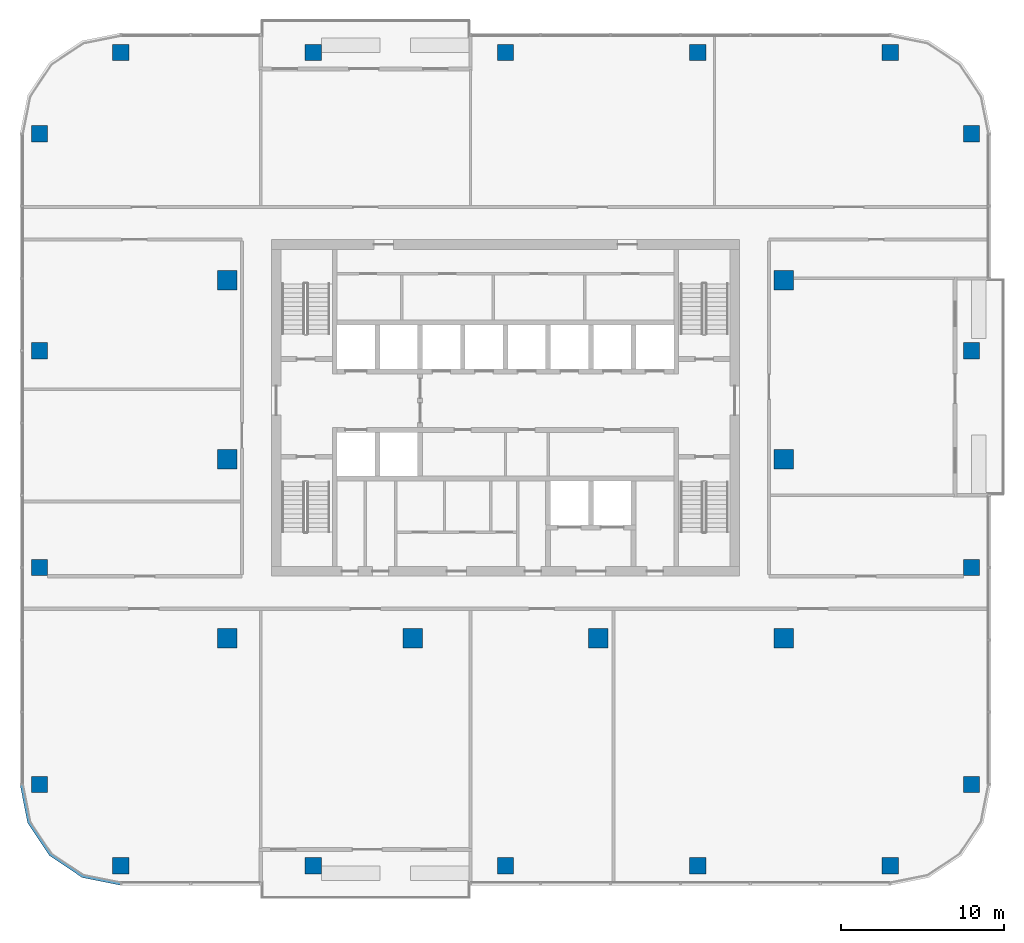
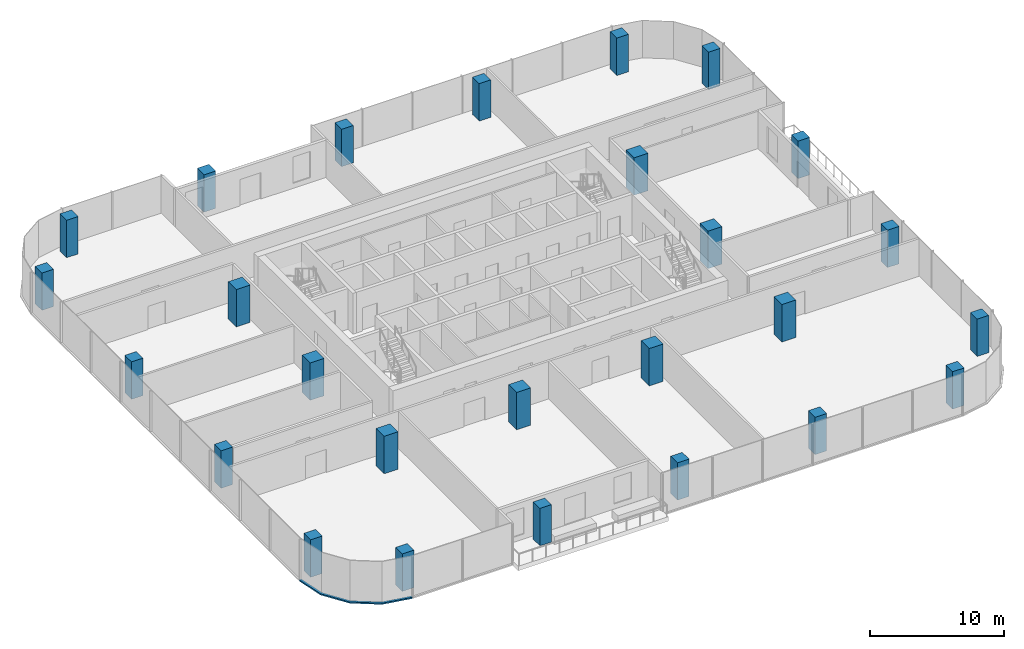
# One storey, part 1 of 13: 26 columns, 1 member, 1 element without a shape of its own.
"""IFC4 building model written with IfcOpenShell, lengths in metres."""

from ifc_helpers import new_model, si_unit, direction, frame, origin, origin_2d, place, context, subcontext, project, spatial, polyline, rectangle, outline, extrude, material, material_profile, profile_set, type_object, element, aggregate, save


model = new_model("IFC4")

# Units and contexts
model_context = context("Model", 3, precision=1e-05, world=origin(), true_north=direction((0.0, 1.0)))
body_context = subcontext(model_context, "Body", "Model", "MODEL_VIEW")
ifc_project = project(units=[si_unit("LENGTHUNIT", "METRE"), si_unit("AREAUNIT", "SQUARE_METRE"), si_unit("VOLUMEUNIT", "CUBIC_METRE"), si_unit("PLANEANGLEUNIT", "RADIAN"), si_unit("MASSUNIT", "GRAM", prefix="KILO")], contexts=[model_context])

# Site, building, storey
site_placement = place(None, origin())
site = spatial("IfcSite", under=ifc_project, at=site_placement, CompositionType="ELEMENT")
building_placement = place(site_placement, origin())
building = spatial("IfcBuilding", under=site, at=building_placement, Name="Mopane Tessera Tower", CompositionType="ELEMENT")
storey_placement = place(building_placement, frame((0.0, 0.0, 311.39990234375)))
storey = spatial("IfcBuildingStorey", under=building, at=storey_placement, Name="L68", CompositionType="ELEMENT", Elevation=311.39990234375)

# Columns
ifc_material_1 = material(Name="Concrete C40/50", Category="concrete")
ifc_material_profile_1 = material_profile(ifc_material_1, rectangle(XDim=1.199951171875, YDim=1.199951171875, at=origin_2d()))
ifc_profile_set_1 = profile_set([ifc_material_profile_1], Name="Concrete C40/50")
column_type_1 = type_object("IfcColumnType", Name="Interior column 1200 x 1200 C40/50", PredefinedType="COLUMN", material=ifc_profile_set_1)
for number, where, z_axis, x_axis, name in (
    (1, (-17.10009765625, -11.0, 0.0), (0.0, 0.0, 1.0), (1.0, 0.0, 0.0), "Interior column I1A L68"),
    (2, (-17.10009765625, 0.0, 0.0), (0.0, 0.0, 1.0), (1.0, 0.0, 0.0), "Interior column I1B L68"),
    (3, (-17.10009765625, 11.0, 0.0), (0.0, 0.0, 1.0), (1.0, 0.0, 0.0), "Interior column I1C L68"),
    (4, (-5.699951171875, -11.0, 0.0), (0.0, 0.0, 1.0), (1.0, 0.0, 0.0), "Interior column I2A L68"),
    (5, (5.699951171875, -11.0, 0.0), (0.0, 0.0, 1.0), (1.0, 0.0, 0.0), "Interior column I3A L68"),
    (6, (17.10009765625, -11.0, 0.0), (0.0, 0.0, 1.0), (1.0, 0.0, 0.0), "Interior column I4A L68"),
    (7, (17.10009765625, 0.0, 0.0), (0.0, 0.0, 1.0), (1.0, 0.0, 0.0), "Interior column I4B L68"),
    (8, (17.10009765625, 11.0, 0.0), (0.0, 0.0, 1.0), (1.0, 0.0, 0.0), "Interior column I4C L68"),
):
    element("IfcColumn", number, at=place(storey_placement, frame(where, z_axis=z_axis, x_axis=x_axis)), inside=storey, type_object=column_type_1, Name=name, PredefinedType="COLUMN", context=body_context, shape_type="SweptSolid", body=[
        extrude(rectangle(XDim=1.199951171875, YDim=1.199951171875, at=origin_2d()), origin(), (0.0, 0.0, 1.0), 3.400146484375),
    ])
ifc_material_2 = material(Name="Concrete C40/50", Category="concrete")
ifc_material_profile_2 = material_profile(ifc_material_2, rectangle(XDim=1.0, YDim=1.0, at=origin_2d()))
ifc_profile_set_2 = profile_set([ifc_material_profile_2], Name="Concrete C40/50")
column_type_2 = type_object("IfcColumnType", Name="Ring column 1000 x 1000 C40/50", PredefinedType="COLUMN", material=ifc_profile_set_2)
for number, where, z_axis, x_axis, name in (
    (9, (-23.64990234375, -25.0, 0.0), (0.0, 0.0, 1.0), (1.0, 0.0, 0.0), "Ring column S0 L68"),
    (10, (-11.824951171875, -25.0, 0.0), (0.0, 0.0, 1.0), (1.0, 0.0, 0.0), "Ring column S1 L68"),
    (11, (0.0, -25.0, 0.0), (0.0, 0.0, 1.0), (1.0, 0.0, 0.0), "Ring column S2 L68"),
    (12, (11.824951171875, -25.0, 0.0), (0.0, 0.0, 1.0), (1.0, 0.0, 0.0), "Ring column S3 L68"),
    (13, (23.64990234375, -25.0, 0.0), (0.0, 0.0, 1.0), (1.0, 0.0, 0.0), "Ring column S4 L68"),
    (14, (28.64990234375, -20.0, 0.0), (0.0, 0.0, 1.0), (1.0, 0.0, 0.0), "Ring column E0 L68"),
    (15, (28.64990234375, -6.666748046875, 0.0), (0.0, 0.0, 1.0), (1.0, 0.0, 0.0), "Ring column E1 L68"),
    (16, (28.64990234375, 6.666748046875, 0.0), (0.0, 0.0, 1.0), (1.0, 0.0, 0.0), "Ring column E2 L68"),
    (17, (28.64990234375, 20.0, 0.0), (0.0, 0.0, 1.0), (1.0, 0.0, 0.0), "Ring column E3 L68"),
    (18, (23.64990234375, 25.0, 0.0), (0.0, 0.0, 1.0), (1.0, 0.0, 0.0), "Ring column N0 L68"),
    (19, (11.824951171875, 25.0, 0.0), (0.0, 0.0, 1.0), (1.0, 0.0, 0.0), "Ring column N1 L68"),
    (20, (0.0, 25.0, 0.0), (0.0, 0.0, 1.0), (1.0, 0.0, 0.0), "Ring column N2 L68"),
    (21, (-11.824951171875, 25.0, 0.0), (0.0, 0.0, 1.0), (1.0, 0.0, 0.0), "Ring column N3 L68"),
    (22, (-23.64990234375, 25.0, 0.0), (0.0, 0.0, 1.0), (1.0, 0.0, 0.0), "Ring column N4 L68"),
    (23, (-28.64990234375, 20.0, 0.0), (0.0, 0.0, 1.0), (1.0, 0.0, 0.0), "Ring column W0 L68"),
    (24, (-28.64990234375, 6.666748046875, 0.0), (0.0, 0.0, 1.0), (1.0, 0.0, 0.0), "Ring column W1 L68"),
    (25, (-28.64990234375, -6.666748046875, 0.0), (0.0, 0.0, 1.0), (1.0, 0.0, 0.0), "Ring column W2 L68"),
    (26, (-28.64990234375, -20.0, 0.0), (0.0, 0.0, 1.0), (1.0, 0.0, 0.0), "Ring column W3 L68"),
):
    element("IfcColumn", number, at=place(storey_placement, frame(where, z_axis=z_axis, x_axis=x_axis)), inside=storey, type_object=column_type_2, Name=name, PredefinedType="COLUMN", context=body_context, shape_type="SweptSolid", body=[
        extrude(rectangle(XDim=1.0, YDim=1.0, at=origin_2d()), origin(), (0.0, 0.0, 1.0), 3.400146484375),
    ])

# Curtain wall, member
ifc_material_3 = material(Name="Aluminium frame", Category="aluminium")
curtain_wall_type = type_object("IfcCurtainWallType", Name="Unitised curtain wall", PredefinedType="NOTDEFINED", material=ifc_material_3)
curtain_wall_placement = place(storey_placement, origin())
curtain_wall = element("IfcCurtainWall", 27, at=curtain_wall_placement, inside=storey, type_object=curtain_wall_type, Name="e:cw:L68:CW", PredefinedType="NOTDEFINED")
ifc_material_4 = material(Name="Aluminium frame", Category="aluminium")
ifc_material_profile_3 = material_profile(ifc_material_4, rectangle(XDim=0.199951171875, YDim=0.1201171875, at=origin_2d()))
ifc_profile_set_3 = profile_set([ifc_material_profile_3], Name="Aluminium frame")
member_type = type_object("IfcMemberType", Name="Aluminium transom 200 x 120", PredefinedType="USERDEFINED", material=ifc_profile_set_3)
member_placement = place(storey_placement, frame((0.0, 0.0, -0.39990234375)))
member = element("IfcMember", 28, at=member_placement, type_object=member_type, Name="e:cw:L68:CW:tr", ObjectType="TRANSOM", PredefinedType="USERDEFINED", context=body_context, shape_type="SweptSolid", body=[
    extrude(outline(polyline([(-29.64990234375, -20.0), (-29.193359375, -22.296142578125), (-27.892578125, -24.24267578125), (-25.946044921875, -25.543212890625), (-23.64990234375, -26.0), (-23.64990234375, -26.199951171875), (-26.022705078125, -25.72802734375), (-28.0341796875, -24.384033203125), (-29.378173828125, -22.37255859375), (-29.85009765625, -20.0), (-29.64990234375, -20.0)])), origin(), (0.0, 0.0, 1.0), 0.1201171875),
])
aggregate(curtain_wall, [member])

save(model, "model.ifc")
